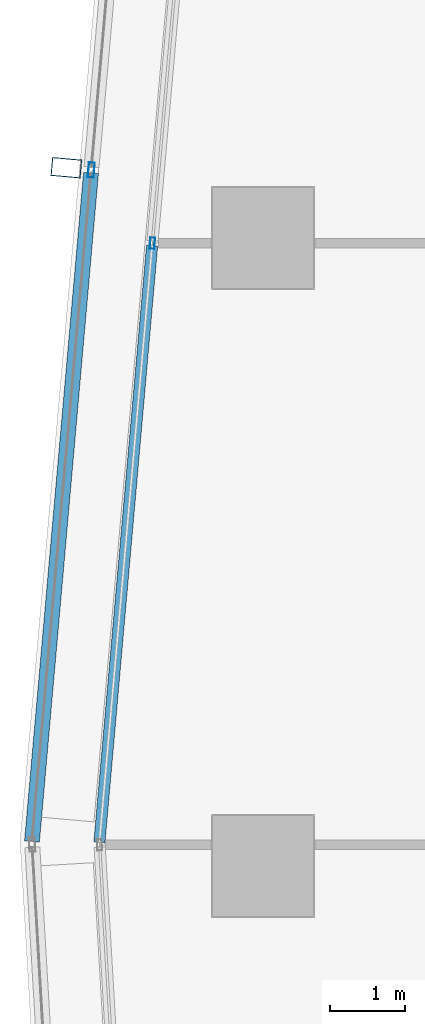
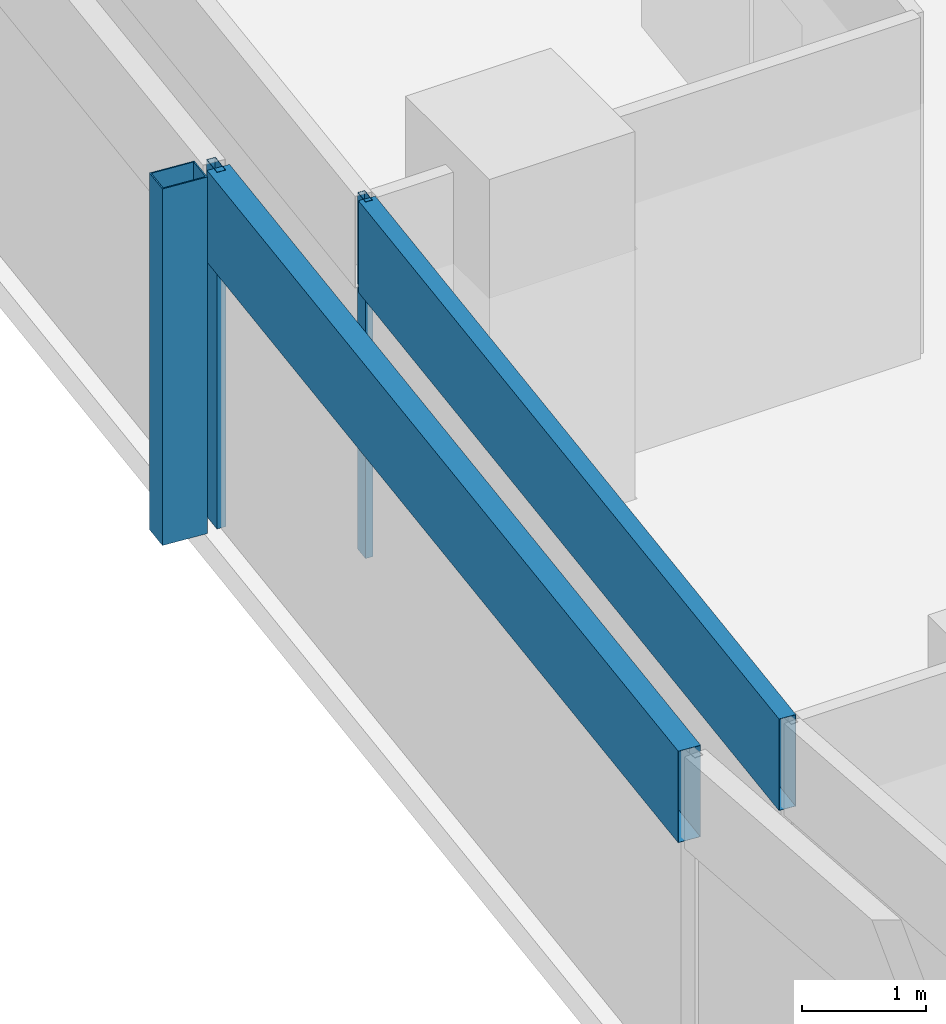
# One storey, part 16 of 38: 5 members, 2 elements without a shape of their own.
"""IFC4 building model written with IfcOpenShell, lengths in metres."""

import ifcopenshell
import ifcopenshell.guid

model = None  # the IFC model being written
_history = None  # IfcOwnerHistory: only IFC2X3 demands one
_inside = {}  # id of a spatial element -> (the spatial element, [elements in it])
_under = {}  # id of a project, library or spatial element -> (it, [spatial elements below it])
_declared = {}  # id of a project -> (the project, [libraries it declares])
_typed = {}  # id of a type object -> (the type object, [elements of that type])
_made_of = {}  # id of a material, layer set ... -> (it, [elements and type objects made of it])


def new_model(schema):
    """Start an empty IFC model of exactly this schema.

    Asked for "IFC4X3", IfcOpenShell would pick the latest addendum, in which some entities
    have other attributes; the version numbers below select the first issue.
    IFC2X3 requires an IfcOwnerHistory on every rooted entity: one is made here for all.
    """
    global model, _history
    if schema == "IFC4X3":
        model = ifcopenshell.file(schema_version=(4, 3, 0, 0))
    else:
        model = ifcopenshell.file(schema=schema)
    _inside.clear()
    _under.clear()
    _declared.clear()
    _typed.clear()
    _made_of.clear()
    _history = None
    if model.schema == "IFC2X3":
        org = make("IfcOrganization", Name="unknown")
        user = make(
            "IfcPersonAndOrganization",
            ThePerson=make("IfcPerson", FamilyName="unknown"),
            TheOrganization=org,
        )
        app = make(
            "IfcApplication",
            ApplicationDeveloper=org,
            Version="unknown",
            ApplicationFullName="unknown",
            ApplicationIdentifier="unknown",
        )
        _history = make(
            "IfcOwnerHistory",
            OwningUser=user,
            OwningApplication=app,
            ChangeAction="ADDED",
            CreationDate=0,
        )
    return model


def make(cls, **values):
    """One entity of the class cls with the attributes given. An attribute that is None is left unset."""
    return model.create_entity(
        cls, **{name: value for name, value in values.items() if value is not None}
    )


def rooted(cls, **values):
    """An entity with a GlobalId (a new one), such as an element, a storey or a relation."""
    return make(cls, GlobalId=ifcopenshell.guid.new(), OwnerHistory=_history, **values)


def si_unit(unit_type, name, prefix=None):
    """IfcSIUnit, for example si_unit("LENGTHUNIT", "METRE", prefix="MILLI")."""
    return make("IfcSIUnit", UnitType=unit_type, Prefix=prefix, Name=name)


def assignment(units):
    """IfcUnitAssignment: the units of a project."""
    return None if units is None else make("IfcUnitAssignment", Units=units)


def point(xyz):
    """IfcCartesianPoint."""
    return None if xyz is None else make("IfcCartesianPoint", Coordinates=xyz)


def direction(xyz):
    """IfcDirection."""
    return None if xyz is None else make("IfcDirection", DirectionRatios=xyz)


def frame(location, z_axis=None, x_axis=None):
    """IfcAxis2Placement3D, a coordinate frame: its origin and axes. An axis left out is left unset."""
    return make(
        "IfcAxis2Placement3D",
        Location=point(location),
        Axis=direction(z_axis),
        RefDirection=direction(x_axis),
    )


def frame_2d(location, x_axis=None):
    """IfcAxis2Placement2D, a coordinate frame in the plane: its origin and x axis."""
    return make(
        "IfcAxis2Placement2D", Location=point(location), RefDirection=direction(x_axis)
    )


def origin():
    """The frame at (0, 0, 0) with its axes left unset."""
    return frame((0.0, 0.0, 0.0))


def origin_2d():
    """The frame at (0, 0) in the plane with its x axis left unset."""
    return frame_2d((0.0, 0.0))


def place(relative_to, where):
    """IfcLocalPlacement: puts the frame where relative to a parent placement (None: the world)."""
    return make(
        "IfcLocalPlacement", PlacementRelTo=relative_to, RelativePlacement=where
    )


def context(
    kind, dimensions, precision=None, world=None, true_north=None, identifier=None
):
    """IfcGeometricRepresentationContext, for example the 3D "Model" context."""
    return make(
        "IfcGeometricRepresentationContext",
        ContextIdentifier=identifier,
        ContextType=kind,
        CoordinateSpaceDimension=dimensions,
        Precision=precision,
        WorldCoordinateSystem=world,
        TrueNorth=true_north,
    )


def subcontext(parent, identifier, kind, view, scale=None):
    """IfcGeometricRepresentationSubContext, for example "Body" below "Model"."""
    return make(
        "IfcGeometricRepresentationSubContext",
        ContextIdentifier=identifier,
        ContextType=kind,
        ParentContext=parent,
        TargetScale=scale,
        TargetView=view,
    )


def project(units=None, contexts=None):
    """IfcProject with its units and contexts."""
    return rooted(
        "IfcProject",
        Name="project",
        RepresentationContexts=contexts,
        UnitsInContext=assignment(units),
    )


def spatial(cls, under=None, at=None, **own):
    """A site, building, storey or space (cls), placed at a placement, below another one or the project."""
    s = rooted(cls, ObjectPlacement=at, **own)
    if under is not None:
        _under.setdefault(under.id(), (under, []))[1].append(s)
    return s


def profile(cls, at=None, kind="AREA", **sizes):
    """A parametric profile (cls). Its sizes go by their IFC names, for example OverallWidth=200.0."""
    return make(cls, ProfileType=kind, Position=at, **sizes)


def hollow_rectangle(**sizes):
    """IfcRectangleHollowProfileDef."""
    return profile("IfcRectangleHollowProfileDef", **sizes)


def extrude(swept, where, along, depth):
    """IfcExtrudedAreaSolid: the profile swept, set in the frame where, extruded along a direction by depth."""
    return make(
        "IfcExtrudedAreaSolid",
        SweptArea=swept,
        Position=where,
        ExtrudedDirection=direction(along),
        Depth=depth,
    )


def shape(context_of_items, identifier, shape_type, items):
    """IfcShapeRepresentation: the items that make up one representation, for example the "Body"."""
    return make(
        "IfcShapeRepresentation",
        ContextOfItems=context_of_items,
        RepresentationIdentifier=identifier,
        RepresentationType=shape_type,
        Items=items,
    )


def material(Name=None, Category=None):
    """IfcMaterial."""
    return make("IfcMaterial", Name=Name, Category=Category)


def material_profile(
    of_material, cross_section, Name=None, Category=None, Priority=None
):
    """IfcMaterialProfile: a cross section and its material."""
    return make(
        "IfcMaterialProfile",
        Name=Name,
        Material=of_material,
        Profile=cross_section,
        Priority=Priority,
        Category=Category,
    )


def profile_set(profiles, Name=None, composite=None):
    """IfcMaterialProfileSet."""
    return make(
        "IfcMaterialProfileSet",
        Name=Name,
        MaterialProfiles=profiles,
        CompositeProfile=composite,
    )


def made_of(thing, what):
    """Note that an element or type object is made of a material, layer set ...; save() writes the relation."""
    if what is not None:
        _made_of.setdefault(what.id(), (what, []))[1].append(thing)
    return thing


def type_object(cls, material=None, **own):
    """A type object (cls), such as IfcWallType, which elements share."""
    return made_of(rooted(cls, **own), material)


def element(
    cls,
    number,
    at=None,
    inside=None,
    cuts=None,
    type_object=None,
    material=None,
    context=None,
    identifier="Body",
    shape_type=None,
    held_by="IfcProductDefinitionShape",
    body=None,
    shapes=None,
    **own,
):
    """One element of the class cls, such as IfcWall. Its Tag is "e" and its number.

    at: its placement. inside: the storey or other place that contains it. cuts: it is an
    opening in that element (IfcRelVoidsElement). A single representation is given by context,
    identifier, shape_type and body (its items); several are given by shapes. held_by: the class
    of the entity that holds the representations. save() writes the other relations.
    """
    e = rooted(cls, Tag="e%d" % number, ObjectPlacement=at, **own)
    if body is not None:
        shapes = [shape(context, identifier, shape_type, body)]
    if shapes is not None:
        e.Representation = make(held_by, Representations=shapes)
    if inside is not None:
        _inside.setdefault(inside.id(), (inside, []))[1].append(e)
    if cuts is not None:
        rooted(
            "IfcRelVoidsElement", RelatingBuildingElement=cuts, RelatedOpeningElement=e
        )
    if type_object is not None:
        _typed.setdefault(type_object.id(), (type_object, []))[1].append(e)
    return made_of(e, material)


def aggregate(whole, parts):
    """IfcRelAggregates: a whole, such as a stair, and the parts it consists of."""
    return rooted("IfcRelAggregates", RelatingObject=whole, RelatedObjects=parts)


def save(model, path):
    """Write the relations noted so far, then the file.

    IfcRelAggregates (storeys below a building ...), IfcRelContainedInSpatialStructure (elements
    in a storey), IfcRelDefinesByType, IfcRelAssociatesMaterial and IfcRelDeclares: one each for
    every whole, place, type object, material and project.
    """
    for whole, parts in _under.values():
        aggregate(whole, parts)
    for where, things in _inside.values():
        rooted(
            "IfcRelContainedInSpatialStructure",
            RelatedElements=things,
            RelatingStructure=where,
        )
    for kind, things in _typed.values():
        rooted("IfcRelDefinesByType", RelatedObjects=things, RelatingType=kind)
    for what, things in _made_of.values():
        rooted("IfcRelAssociatesMaterial", RelatedObjects=things, RelatingMaterial=what)
    for by, libraries in _declared.values():
        rooted("IfcRelDeclares", RelatingContext=by, RelatedDefinitions=libraries)
    model.write(path)


model = new_model("IFC4")

# Units and contexts
model_context = context("Model", 3, precision=1e-05, world=origin(), true_north=direction((0.0, 1.0)))
body_context = subcontext(model_context, "Body", "Model", "MODEL_VIEW")
ifc_project = project(units=[si_unit("LENGTHUNIT", "METRE"), si_unit("AREAUNIT", "SQUARE_METRE"), si_unit("VOLUMEUNIT", "CUBIC_METRE"), si_unit("PLANEANGLEUNIT", "RADIAN"), si_unit("MASSUNIT", "GRAM", prefix="KILO")], contexts=[model_context])

# Site, building, storey
site_placement = place(None, origin())
site = spatial("IfcSite", under=ifc_project, at=site_placement, CompositionType="ELEMENT")
building_placement = place(site_placement, origin())
building = spatial("IfcBuilding", under=site, at=building_placement, Name="Rekha Terrace Tower", CompositionType="ELEMENT")
storey_placement = place(building_placement, frame((0.0, 0.0, 195.199951171875)))
storey = spatial("IfcBuildingStorey", under=building, at=storey_placement, Name="L49", CompositionType="ELEMENT", Elevation=195.199951171875)

# Curtain wall, member
ifc_material_1 = material(Name="Aluminium framing", Category="aluminium")
curtain_wall_type_1 = type_object("IfcCurtainWallType", Name="CW2 double skin outer glazing", PredefinedType="USERDEFINED", material=ifc_material_1)
curtain_wall_1_placement = place(storey_placement, origin())
curtain_wall_1 = element("IfcCurtainWall", 1, at=curtain_wall_1_placement, inside=storey, type_object=curtain_wall_type_1, Name="CW2 double skin outer glazing", ObjectType="DOUBLE SKIN OUTER GLAZING", PredefinedType="USERDEFINED")
ifc_material_2 = material(Name="Steel S355 with fluorocarbon finish", Category="steel")
ifc_material_profile_1 = material_profile(ifc_material_2, hollow_rectangle(XDim=0.25, YDim=0.39990234375, WallThickness=0.012451171875, at=origin_2d()), Name="RHS400x250x12.5")
ifc_profile_set_1 = profile_set([ifc_material_profile_1], Name="Steel S355 with fluorocarbon finish")
member_type_1 = type_object("IfcMemberType", Name="BL1 facade blade RHS 400 x 250", PredefinedType="USERDEFINED", material=ifc_profile_set_1)
member_1_placement = place(storey_placement, frame((5.77001953125, 51.341796875, 0.0), z_axis=(0.0, 0.0, 1.0), x_axis=(-0.087957249501, -0.996124250413, 0.0)))
member_1 = element("IfcMember", 2, at=member_1_placement, type_object=member_type_1, Name="Facade blade", ObjectType="FACADE BLADE", PredefinedType="USERDEFINED", context=body_context, shape_type="SweptSolid", body=[
    extrude(hollow_rectangle(XDim=0.25, YDim=0.39990234375, WallThickness=0.012451171875, at=origin_2d()), origin(), (0.0, 0.0, 1.0), 3.5),
])

# Curtain wall, members
curtain_wall_type_2 = type_object("IfcCurtainWallType", Name="CW1 double skin inner glazing", PredefinedType="USERDEFINED", material=ifc_material_1)
curtain_wall_2_placement = place(storey_placement, origin())
curtain_wall_2 = element("IfcCurtainWall", 3, at=curtain_wall_2_placement, inside=storey, type_object=curtain_wall_type_2, Name="CW1 double skin inner glazing", ObjectType="DOUBLE SKIN INNER GLAZING", PredefinedType="USERDEFINED")
ifc_material_3 = material(Name="Aluminium mullion section", Category="aluminium")
ifc_material_profile_2 = material_profile(ifc_material_3, hollow_rectangle(XDim=0.06494140625, YDim=0.14990234375, WallThickness=0.00390625, at=origin_2d()), Name="AL RHS 65x150")
ifc_profile_set_2 = profile_set([ifc_material_profile_2], Name="Aluminium mullion section")
member_type_2 = type_object("IfcMemberType", Name="CW1 mullion RHS 65 x 150", PredefinedType="MULLION", material=ifc_profile_set_2)
member_2_placement = place(storey_placement, frame((6.920654296875, 50.331787109375, 0.0), z_axis=(0.0, 0.0, 1.0), x_axis=(0.996124185422, -0.087957985523, 0.0)))
member_2 = element("IfcMember", 4, at=member_2_placement, type_object=member_type_2, Name="CW1 mullion 2", PredefinedType="MULLION", context=body_context, shape_type="SweptSolid", body=[
    extrude(hollow_rectangle(XDim=0.06494140625, YDim=0.14990234375, WallThickness=0.00390625, at=origin_2d()), origin(), (0.0, 0.0, 1.0), 3.5),
])
ifc_material_4 = material(Name="Insulated aluminium spandrel box", Category="aluminium")
ifc_material_profile_3 = material_profile(ifc_material_4, hollow_rectangle(XDim=0.14990234375, YDim=0.89990234375, WallThickness=0.0029296875, at=origin_2d()), Name="AL SPANDREL BOX 150x900")
ifc_profile_set_3 = profile_set([ifc_material_profile_3], Name="Insulated aluminium spandrel box")
member_type_3 = type_object("IfcMemberType", Name="CW1 spandrel transom 150 x 900", PredefinedType="USERDEFINED", material=ifc_profile_set_3)
member_3_placement = place(storey_placement, frame((6.917724609375, 50.29931640625, 3.050048828125), z_axis=(-0.087959586596, -0.996124044046, 0.0), x_axis=(0.996124044046, -0.087959586596, 0.0)))
member_3 = element("IfcMember", 5, at=member_3_placement, type_object=member_type_3, Name="CW1 spandrel transom 2", ObjectType="TRANSOM", PredefinedType="USERDEFINED", context=body_context, shape_type="SweptSolid", body=[
    extrude(hollow_rectangle(XDim=0.14990234375, YDim=0.89990234375, WallThickness=0.0029296875, at=origin_2d()), origin(), (0.0, 0.0, 1.0), 8.015869140625),
])
aggregate(curtain_wall_2, [member_2, member_3])

# Member
ifc_material_profile_4 = material_profile(ifc_material_3, hollow_rectangle(XDim=0.080078125, YDim=0.199951171875, WallThickness=0.00390625, at=origin_2d()), Name="AL RHS 80x200")
ifc_profile_set_4 = profile_set([ifc_material_profile_4], Name="Aluminium mullion section")
member_type_4 = type_object("IfcMemberType", Name="CW2 mullion RHS 80 x 200", PredefinedType="MULLION", material=ifc_profile_set_4)
member_4_placement = place(storey_placement, frame((6.103759765625, 51.312255859375, 0.0), z_axis=(0.0, 0.0, 1.0), x_axis=(0.996124185428, -0.087957985453, 0.0)))
member_4 = element("IfcMember", 6, at=member_4_placement, type_object=member_type_4, Name="CW2 mullion 2", PredefinedType="MULLION", context=body_context, shape_type="SweptSolid", body=[
    extrude(hollow_rectangle(XDim=0.080078125, YDim=0.199951171875, WallThickness=0.00390625, at=origin_2d()), origin(), (0.0, 0.0, 1.0), 3.5),
])

ifc_material_profile_5 = material_profile(ifc_material_4, hollow_rectangle(XDim=0.199951171875, YDim=0.89990234375, WallThickness=0.0029296875, at=origin_2d()), Name="AL SPANDREL BOX 200x900")
ifc_profile_set_5 = profile_set([ifc_material_profile_5], Name="Insulated aluminium spandrel box")
member_type_5 = type_object("IfcMemberType", Name="CW2 spandrel transom 200 x 900", PredefinedType="USERDEFINED", material=ifc_profile_set_5)
member_5_placement = place(storey_placement, frame((6.100341796875, 51.2724609375, 3.050048828125), z_axis=(-0.087981092326, -0.996122144816, 0.0), x_axis=(0.996122144816, -0.087981092326, 0.0)))
member_5 = element("IfcMember", 7, at=member_5_placement, type_object=member_type_5, Name="CW2 spandrel transom 2", ObjectType="TRANSOM", PredefinedType="USERDEFINED", context=body_context, shape_type="SweptSolid", body=[
    extrude(hollow_rectangle(XDim=0.199951171875, YDim=0.89990234375, WallThickness=0.0029296875, at=origin_2d()), origin(), (0.0, 0.0, 1.0), 8.979736328125),
])

aggregate(curtain_wall_1, [member_4, member_5, member_1])

save(model, "model.ifc")
